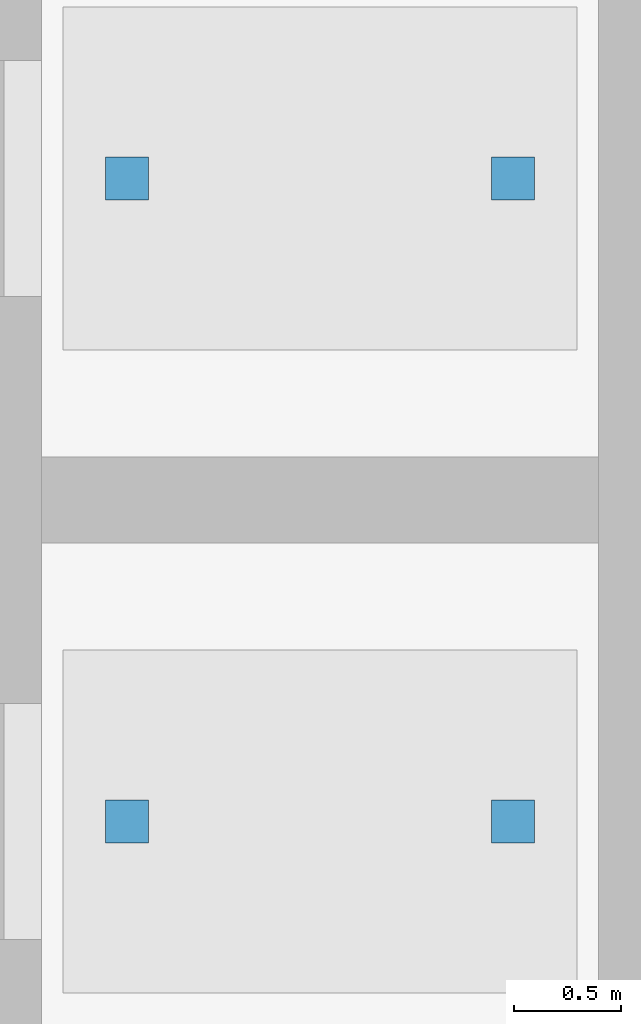
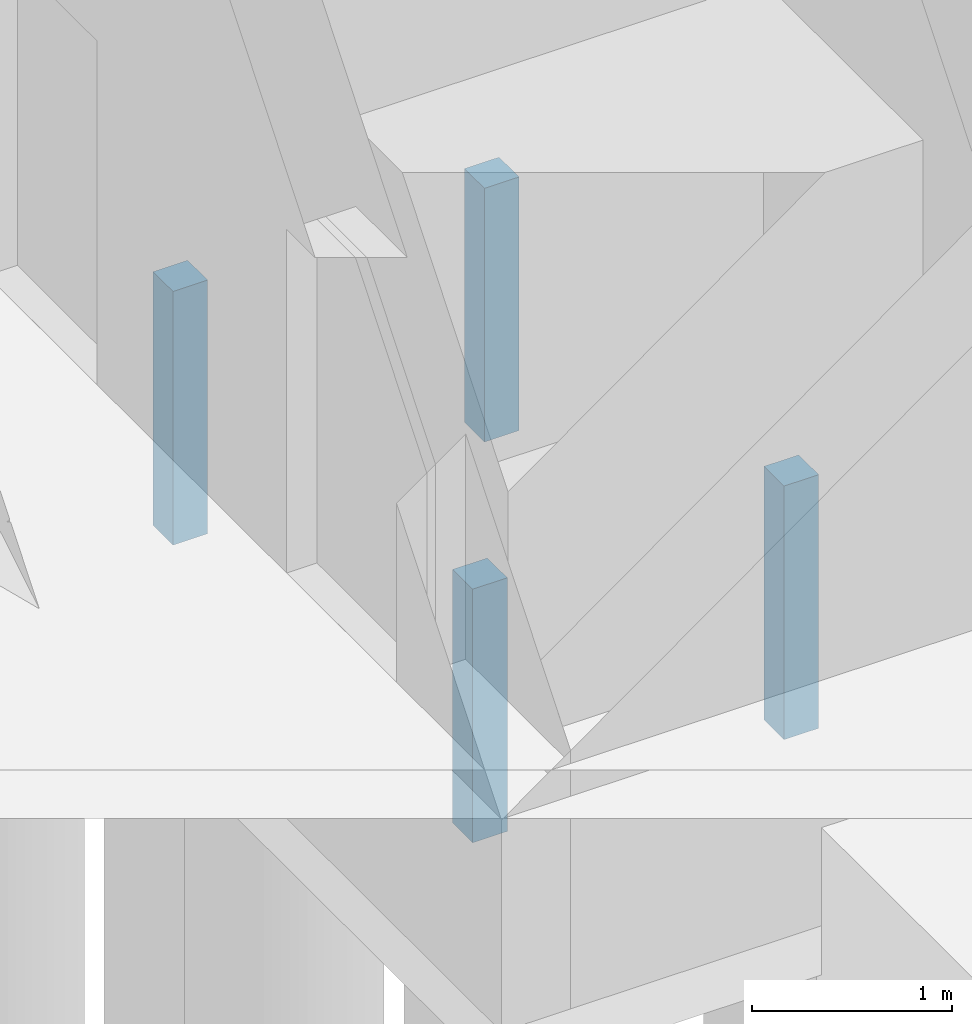
# One storey, part 94 of 139: 4 discrete accessories.
"""IFC4 building model written with IfcOpenShell, lengths in metres."""

from ifc_helpers import new_model, si_unit, direction, frame, origin, origin_2d, place, context, subcontext, project, spatial, rectangle, extrude, material, type_object, element, save


model = new_model("IFC4")

# Units and contexts
model_context = context("Model", 3, precision=1e-05, world=origin(), true_north=direction((0.0, 1.0)))
body_context = subcontext(model_context, "Body", "Model", "MODEL_VIEW")
ifc_project = project(units=[si_unit("LENGTHUNIT", "METRE"), si_unit("AREAUNIT", "SQUARE_METRE"), si_unit("VOLUMEUNIT", "CUBIC_METRE"), si_unit("PLANEANGLEUNIT", "RADIAN"), si_unit("MASSUNIT", "GRAM", prefix="KILO")], contexts=[model_context])

# Site, building, storey
site_placement = place(None, origin())
site = spatial("IfcSite", under=ifc_project, at=site_placement, CompositionType="ELEMENT")
building_placement = place(site_placement, origin())
building = spatial("IfcBuilding", under=site, at=building_placement, Name="Verrick Yard Athletic Hall", CompositionType="ELEMENT")
storey_placement = place(building_placement, origin())
storey = spatial("IfcBuildingStorey", under=building, at=storey_placement, Name="L00", CompositionType="ELEMENT", Elevation=0.0)

# Discrete accessories
ifc_material = material(Name="Stainless steel", Category="steel")
discrete_accessory_type = type_object("IfcDiscreteAccessoryType", Name="Lift buffer stand", PredefinedType="BRACKET", material=ifc_material)
for number, where, z_axis, x_axis, name in (
    (1, (102.5, 22.89990234375, -1.5), (0.0, 0.0, 1.0), (1.0, 0.0, 0.0), "Buffer stand Foyer 1 1"),
    (2, (104.300048828125, 22.89990234375, -1.5), (0.0, 0.0, 1.0), (1.0, 0.0, 0.0), "Buffer stand Foyer 1 2"),
    (3, (102.5, 25.89990234375, -1.5), (0.0, 0.0, 1.0), (1.0, 0.0, 0.0), "Buffer stand Foyer 2 1"),
    (4, (104.300048828125, 25.89990234375, -1.5), (0.0, 0.0, 1.0), (1.0, 0.0, 0.0), "Buffer stand Foyer 2 2"),
):
    element("IfcDiscreteAccessory", number, at=place(storey_placement, frame(where, z_axis=z_axis, x_axis=x_axis)), inside=storey, type_object=discrete_accessory_type, Name=name, PredefinedType="BRACKET", context=body_context, shape_type="SweptSolid", body=[
        extrude(rectangle(XDim=0.199951171875, YDim=0.199951171875, at=origin_2d()), origin(), (0.0, 0.0, 1.0), 1.550048828125),
    ])

save(model, "model.ifc")
